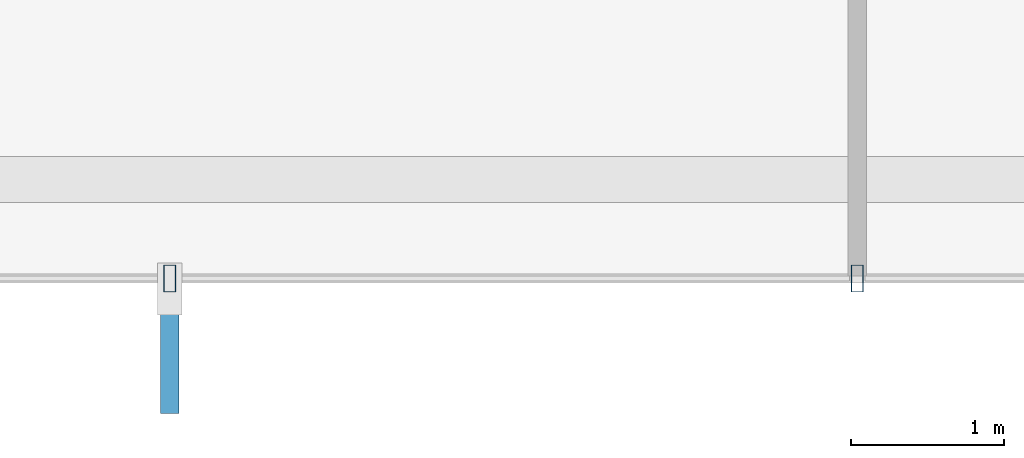
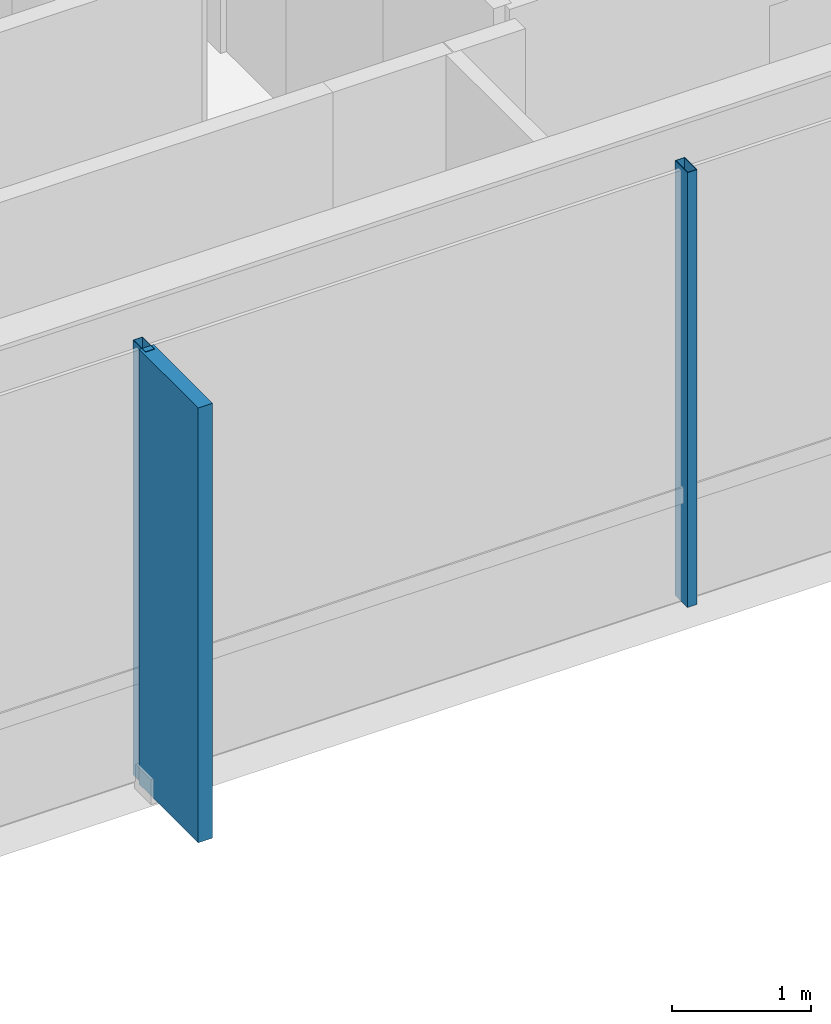
# One storey, part 8 of 24: 3 members, 1 element without a shape of its own.
"""IFC4 building model written with IfcOpenShell, lengths in metres."""

from ifc_helpers import new_model, si_unit, direction, frame, origin, origin_2d, place, context, subcontext, project, spatial, rectangle, hollow_rectangle, extrude, material, layer, layer_set, material_profile, profile_set, type_object, element, aggregate, save


model = new_model("IFC4")

# Units and contexts
model_context = context("Model", 3, precision=1e-05, world=origin(), true_north=direction((0.0, 1.0)))
body_context = subcontext(model_context, "Body", "Model", "MODEL_VIEW")
ifc_project = project(units=[si_unit("LENGTHUNIT", "METRE"), si_unit("AREAUNIT", "SQUARE_METRE"), si_unit("VOLUMEUNIT", "CUBIC_METRE"), si_unit("PLANEANGLEUNIT", "RADIAN"), si_unit("MASSUNIT", "GRAM", prefix="KILO")], contexts=[model_context])

# Site, building, storey
site_placement = place(None, origin())
site = spatial("IfcSite", under=ifc_project, at=site_placement, CompositionType="ELEMENT")
building_placement = place(site_placement, origin())
building = spatial("IfcBuilding", under=site, at=building_placement, Name="Zarrinselat Tower", CompositionType="ELEMENT")
storey_placement = place(building_placement, frame((0.0, 0.0, 100.97998046875)))
storey = spatial("IfcBuildingStorey", under=building, at=storey_placement, Name="L24", CompositionType="ELEMENT", Elevation=100.97998046875)

# Curtain wall, members
ifc_material_1 = material(Name="Extruded Aluminium Alloy EN AW-6063 T6", Category="aluminium")
ifc_layer = layer(ifc_material_1, 0.18505859375)
ifc_layer_set = layer_set([ifc_layer], Name="Extruded Aluminium Alloy EN AW-6063 T6")
curtain_wall_type = type_object("IfcCurtainWallType", Name="CWS-OFF", PredefinedType="NOTDEFINED", material=ifc_layer_set)
curtain_wall_placement = place(storey_placement, origin())
curtain_wall = element("IfcCurtainWall", 1, at=curtain_wall_placement, inside=storey, type_object=curtain_wall_type, Name="L24 Unitised Curtain Wall CW-L24-E04", PredefinedType="NOTDEFINED")
ifc_material_2 = material(Name="Extruded Aluminium Alloy EN AW-6063 T6", Category="aluminium")
ifc_material_profile_1 = material_profile(ifc_material_2, hollow_rectangle(XDim=0.080078125, YDim=0.179931640625, WallThickness=0.0048828125, at=origin_2d()), Name="RHS 180x80x5")
ifc_profile_set_1 = profile_set([ifc_material_profile_1], Name="Extruded Aluminium Alloy EN AW-6063 T6")
member_type_1 = type_object("IfcMemberType", Name="MEM-CW-MUL", PredefinedType="MULLION", material=ifc_profile_set_1)
member_1_placement = place(storey_placement, frame((40.294921875, 18.32568359375, 0.0), z_axis=(0.0, 0.0, 1.0), x_axis=(1.0, 0.0, 0.0)))
member_1 = element("IfcMember", 2, at=member_1_placement, type_object=member_type_1, Name="CW-L24-E04 Mullion 3", PredefinedType="MULLION", context=body_context, shape_type="SweptSolid", body=[
    extrude(hollow_rectangle(XDim=0.080078125, YDim=0.179931640625, WallThickness=0.0048828125, at=origin_2d()), origin(), (0.0, 0.0, 1.0), 3.820068359375),
])
member_2_placement = place(storey_placement, frame((44.800048828125, 18.32568359375, 0.0), z_axis=(0.0, 0.0, 1.0), x_axis=(1.0, 0.0, 0.0)))
member_2 = element("IfcMember", 3, at=member_2_placement, type_object=member_type_1, Name="CW-L24-E04 Mullion 4", PredefinedType="MULLION", context=body_context, shape_type="SweptSolid", body=[
    extrude(hollow_rectangle(XDim=0.080078125, YDim=0.179931640625, WallThickness=0.0048828125, at=origin_2d()), origin(), (0.0, 0.0, 1.0), 3.820068359375),
])
ifc_material_3 = material(Name="Honed Cream Travertine Stone", Category="masonry")
ifc_material_profile_2 = material_profile(ifc_material_3, rectangle(XDim=0.1201171875, YDim=0.85009765625, at=origin_2d()), Name="FIN 850x120")
ifc_profile_set_2 = profile_set([ifc_material_profile_2], Name="Honed Cream Travertine Stone")
member_type_2 = type_object("IfcMemberType", Name="MEM-STONE-FIN", PredefinedType="USERDEFINED", material=ifc_profile_set_2)
member_3_placement = place(storey_placement, frame((40.294921875, 17.865478515625, 0.0), z_axis=(0.0, 0.0, 1.0), x_axis=(-1.0, 0.0, 0.0)))
member_3 = element("IfcMember", 4, at=member_3_placement, type_object=member_type_2, Name="L24 Stone Shading Fin CW-L24-E04-03", ObjectType="FIN", PredefinedType="USERDEFINED", context=body_context, shape_type="SweptSolid", body=[
    extrude(rectangle(XDim=0.1201171875, YDim=0.85009765625, at=origin_2d()), origin(), (0.0, 0.0, 1.0), 3.820068359375),
])
aggregate(curtain_wall, [member_1, member_3, member_2])

save(model, "model.ifc")
